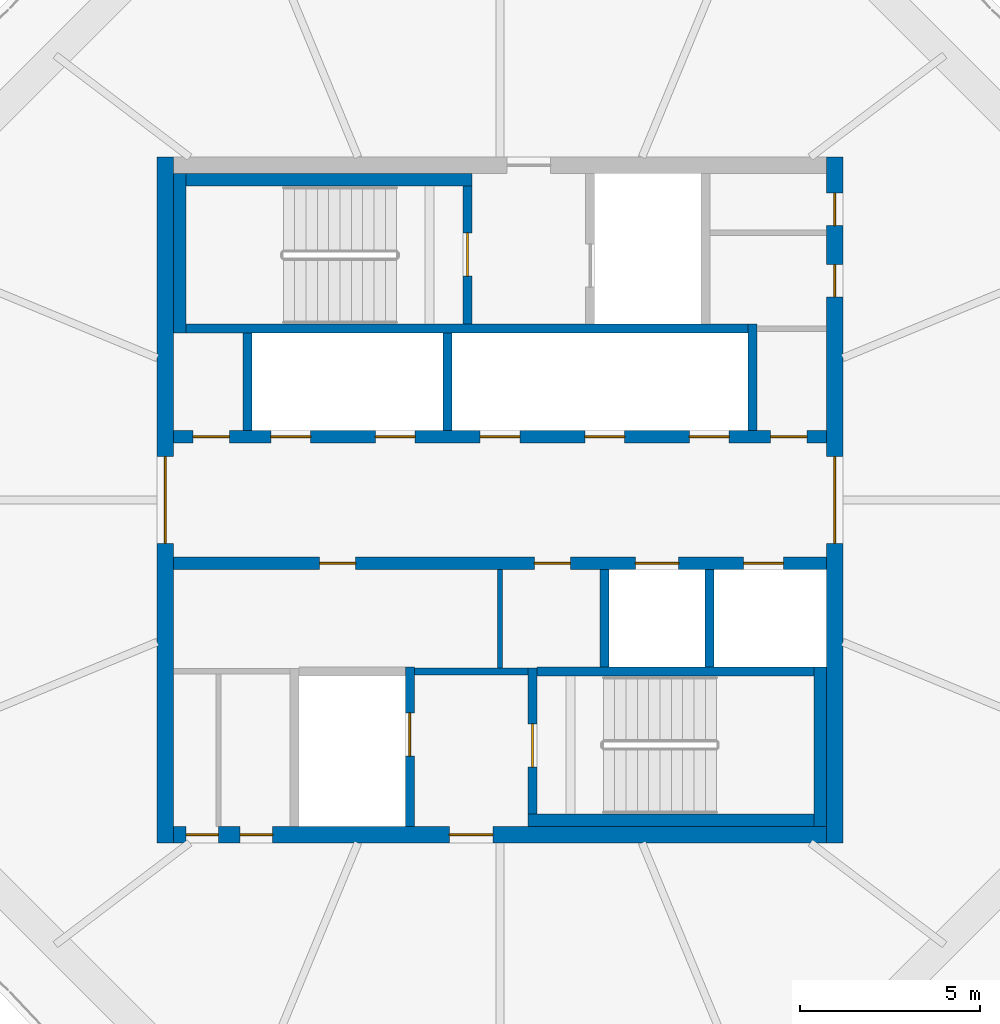
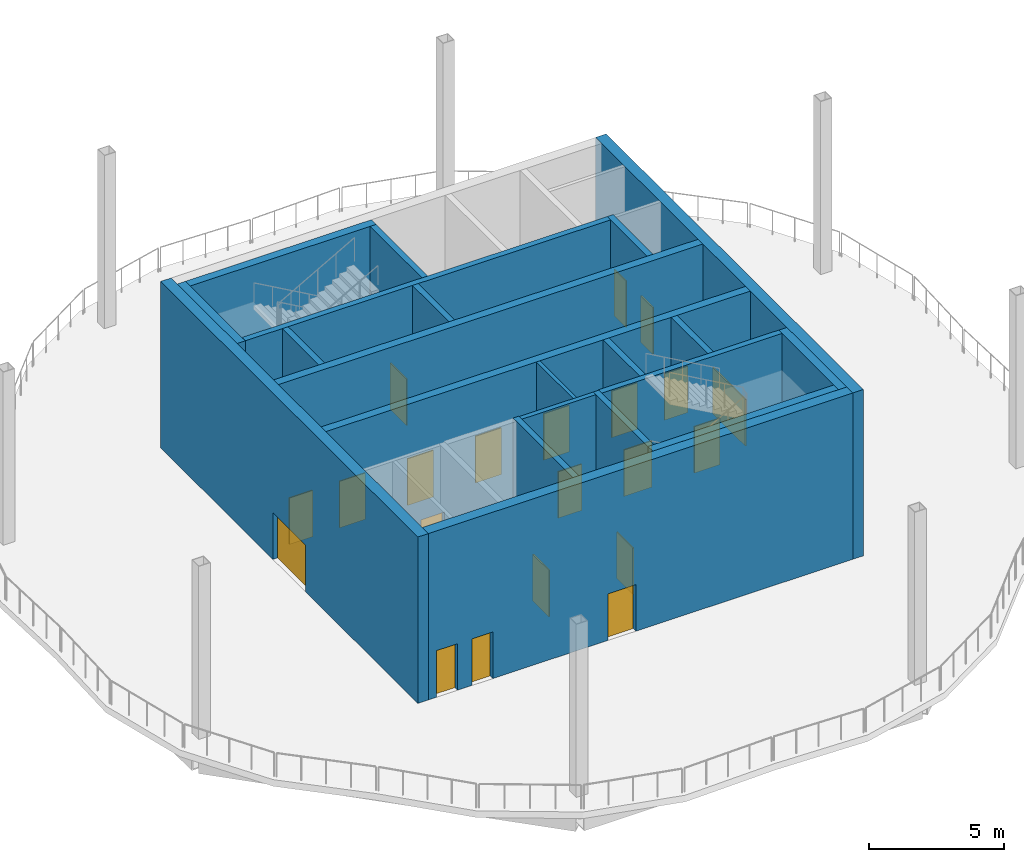
# One storey, part 5 of 12: 21 doors, 21 walls, 21 openings.
"""IFC4 building model written with IfcOpenShell, lengths in metres."""

import ifcopenshell
import ifcopenshell.guid

model = None  # the IFC model being written
_history = None  # IfcOwnerHistory: only IFC2X3 demands one
_inside = {}  # id of a spatial element -> (the spatial element, [elements in it])
_under = {}  # id of a project, library or spatial element -> (it, [spatial elements below it])
_declared = {}  # id of a project -> (the project, [libraries it declares])
_typed = {}  # id of a type object -> (the type object, [elements of that type])
_made_of = {}  # id of a material, layer set ... -> (it, [elements and type objects made of it])


def new_model(schema):
    """Start an empty IFC model of exactly this schema.

    Asked for "IFC4X3", IfcOpenShell would pick the latest addendum, in which some entities
    have other attributes; the version numbers below select the first issue.
    IFC2X3 requires an IfcOwnerHistory on every rooted entity: one is made here for all.
    """
    global model, _history
    if schema == "IFC4X3":
        model = ifcopenshell.file(schema_version=(4, 3, 0, 0))
    else:
        model = ifcopenshell.file(schema=schema)
    _inside.clear()
    _under.clear()
    _declared.clear()
    _typed.clear()
    _made_of.clear()
    _history = None
    if model.schema == "IFC2X3":
        org = make("IfcOrganization", Name="unknown")
        user = make(
            "IfcPersonAndOrganization",
            ThePerson=make("IfcPerson", FamilyName="unknown"),
            TheOrganization=org,
        )
        app = make(
            "IfcApplication",
            ApplicationDeveloper=org,
            Version="unknown",
            ApplicationFullName="unknown",
            ApplicationIdentifier="unknown",
        )
        _history = make(
            "IfcOwnerHistory",
            OwningUser=user,
            OwningApplication=app,
            ChangeAction="ADDED",
            CreationDate=0,
        )
    return model


def make(cls, **values):
    """One entity of the class cls with the attributes given. An attribute that is None is left unset."""
    return model.create_entity(
        cls, **{name: value for name, value in values.items() if value is not None}
    )


def rooted(cls, **values):
    """An entity with a GlobalId (a new one), such as an element, a storey or a relation."""
    return make(cls, GlobalId=ifcopenshell.guid.new(), OwnerHistory=_history, **values)


def si_unit(unit_type, name, prefix=None):
    """IfcSIUnit, for example si_unit("LENGTHUNIT", "METRE", prefix="MILLI")."""
    return make("IfcSIUnit", UnitType=unit_type, Prefix=prefix, Name=name)


def assignment(units):
    """IfcUnitAssignment: the units of a project."""
    return None if units is None else make("IfcUnitAssignment", Units=units)


def point(xyz):
    """IfcCartesianPoint."""
    return None if xyz is None else make("IfcCartesianPoint", Coordinates=xyz)


def direction(xyz):
    """IfcDirection."""
    return None if xyz is None else make("IfcDirection", DirectionRatios=xyz)


def frame(location, z_axis=None, x_axis=None):
    """IfcAxis2Placement3D, a coordinate frame: its origin and axes. An axis left out is left unset."""
    return make(
        "IfcAxis2Placement3D",
        Location=point(location),
        Axis=direction(z_axis),
        RefDirection=direction(x_axis),
    )


def frame_2d(location, x_axis=None):
    """IfcAxis2Placement2D, a coordinate frame in the plane: its origin and x axis."""
    return make(
        "IfcAxis2Placement2D", Location=point(location), RefDirection=direction(x_axis)
    )


def origin():
    """The frame at (0, 0, 0) with its axes left unset."""
    return frame((0.0, 0.0, 0.0))


def place(relative_to, where):
    """IfcLocalPlacement: puts the frame where relative to a parent placement (None: the world)."""
    return make(
        "IfcLocalPlacement", PlacementRelTo=relative_to, RelativePlacement=where
    )


def context(
    kind, dimensions, precision=None, world=None, true_north=None, identifier=None
):
    """IfcGeometricRepresentationContext, for example the 3D "Model" context."""
    return make(
        "IfcGeometricRepresentationContext",
        ContextIdentifier=identifier,
        ContextType=kind,
        CoordinateSpaceDimension=dimensions,
        Precision=precision,
        WorldCoordinateSystem=world,
        TrueNorth=true_north,
    )


def subcontext(parent, identifier, kind, view, scale=None):
    """IfcGeometricRepresentationSubContext, for example "Body" below "Model"."""
    return make(
        "IfcGeometricRepresentationSubContext",
        ContextIdentifier=identifier,
        ContextType=kind,
        ParentContext=parent,
        TargetScale=scale,
        TargetView=view,
    )


def project(units=None, contexts=None):
    """IfcProject with its units and contexts."""
    return rooted(
        "IfcProject",
        Name="project",
        RepresentationContexts=contexts,
        UnitsInContext=assignment(units),
    )


def spatial(cls, under=None, at=None, **own):
    """A site, building, storey or space (cls), placed at a placement, below another one or the project."""
    s = rooted(cls, ObjectPlacement=at, **own)
    if under is not None:
        _under.setdefault(under.id(), (under, []))[1].append(s)
    return s


def profile(cls, at=None, kind="AREA", **sizes):
    """A parametric profile (cls). Its sizes go by their IFC names, for example OverallWidth=200.0."""
    return make(cls, ProfileType=kind, Position=at, **sizes)


def rectangle(**sizes):
    """IfcRectangleProfileDef."""
    return profile("IfcRectangleProfileDef", **sizes)


def extrude(swept, where, along, depth):
    """IfcExtrudedAreaSolid: the profile swept, set in the frame where, extruded along a direction by depth."""
    return make(
        "IfcExtrudedAreaSolid",
        SweptArea=swept,
        Position=where,
        ExtrudedDirection=direction(along),
        Depth=depth,
    )


def shape(context_of_items, identifier, shape_type, items):
    """IfcShapeRepresentation: the items that make up one representation, for example the "Body"."""
    return make(
        "IfcShapeRepresentation",
        ContextOfItems=context_of_items,
        RepresentationIdentifier=identifier,
        RepresentationType=shape_type,
        Items=items,
    )


def material(Name=None, Category=None):
    """IfcMaterial."""
    return make("IfcMaterial", Name=Name, Category=Category)


def layer(
    of_material, thickness, ventilated=None, Name=None, Category=None, Priority=None
):
    """IfcMaterialLayer: one layer of a wall or slab, of a material (None: an air gap)."""
    return make(
        "IfcMaterialLayer",
        Material=of_material,
        LayerThickness=thickness,
        IsVentilated=ventilated,
        Name=Name,
        Category=Category,
        Priority=Priority,
    )


def layer_set(layers, Name=None):
    """IfcMaterialLayerSet."""
    return make("IfcMaterialLayerSet", MaterialLayers=layers, LayerSetName=Name)


def made_of(thing, what):
    """Note that an element or type object is made of a material, layer set ...; save() writes the relation."""
    if what is not None:
        _made_of.setdefault(what.id(), (what, []))[1].append(thing)
    return thing


def type_object(cls, material=None, **own):
    """A type object (cls), such as IfcWallType, which elements share."""
    return made_of(rooted(cls, **own), material)


def element(
    cls,
    number,
    at=None,
    inside=None,
    cuts=None,
    type_object=None,
    material=None,
    context=None,
    identifier="Body",
    shape_type=None,
    held_by="IfcProductDefinitionShape",
    body=None,
    shapes=None,
    **own,
):
    """One element of the class cls, such as IfcWall. Its Tag is "e" and its number.

    at: its placement. inside: the storey or other place that contains it. cuts: it is an
    opening in that element (IfcRelVoidsElement). A single representation is given by context,
    identifier, shape_type and body (its items); several are given by shapes. held_by: the class
    of the entity that holds the representations. save() writes the other relations.
    """
    e = rooted(cls, Tag="e%d" % number, ObjectPlacement=at, **own)
    if body is not None:
        shapes = [shape(context, identifier, shape_type, body)]
    if shapes is not None:
        e.Representation = make(held_by, Representations=shapes)
    if inside is not None:
        _inside.setdefault(inside.id(), (inside, []))[1].append(e)
    if cuts is not None:
        rooted(
            "IfcRelVoidsElement", RelatingBuildingElement=cuts, RelatedOpeningElement=e
        )
    if type_object is not None:
        _typed.setdefault(type_object.id(), (type_object, []))[1].append(e)
    return made_of(e, material)


def fill(opening, filler):
    """IfcRelFillsElement: the door or window that sits in an opening."""
    return rooted(
        "IfcRelFillsElement",
        RelatingOpeningElement=opening,
        RelatedBuildingElement=filler,
    )


def aggregate(whole, parts):
    """IfcRelAggregates: a whole, such as a stair, and the parts it consists of."""
    return rooted("IfcRelAggregates", RelatingObject=whole, RelatedObjects=parts)


def save(model, path):
    """Write the relations noted so far, then the file.

    IfcRelAggregates (storeys below a building ...), IfcRelContainedInSpatialStructure (elements
    in a storey), IfcRelDefinesByType, IfcRelAssociatesMaterial and IfcRelDeclares: one each for
    every whole, place, type object, material and project.
    """
    for whole, parts in _under.values():
        aggregate(whole, parts)
    for where, things in _inside.values():
        rooted(
            "IfcRelContainedInSpatialStructure",
            RelatedElements=things,
            RelatingStructure=where,
        )
    for kind, things in _typed.values():
        rooted("IfcRelDefinesByType", RelatedObjects=things, RelatingType=kind)
    for what, things in _made_of.values():
        rooted("IfcRelAssociatesMaterial", RelatedObjects=things, RelatingMaterial=what)
    for by, libraries in _declared.values():
        rooted("IfcRelDeclares", RelatingContext=by, RelatedDefinitions=libraries)
    model.write(path)


model = new_model("IFC4")

# Units and contexts
model_context = context("Model", 3, precision=1e-05, world=origin(), true_north=direction((0.0, 1.0)))
body_context = subcontext(model_context, "Body", "Model", "MODEL_VIEW")
ifc_project = project(units=[si_unit("LENGTHUNIT", "METRE"), si_unit("AREAUNIT", "SQUARE_METRE"), si_unit("VOLUMEUNIT", "CUBIC_METRE"), si_unit("PLANEANGLEUNIT", "RADIAN"), si_unit("MASSUNIT", "GRAM", prefix="KILO")], contexts=[model_context])

# Site, building, storey
site_placement = place(None, origin())
site = spatial("IfcSite", under=ifc_project, at=site_placement, CompositionType="ELEMENT")
building_placement = place(site_placement, origin())
building = spatial("IfcBuilding", under=site, at=building_placement, Name="Ogive Gate Towers", CompositionType="ELEMENT")
storey_placement = place(building_placement, frame((0.0, 0.0, 248.39990234375)))
storey = spatial("IfcBuildingStorey", under=building, at=storey_placement, Name="L59", CompositionType="ELEMENT", Elevation=248.39990234375)

# Wall
ifc_material_1 = material(Name="Masonry blockwork", Category="masonry")
ifc_layer_1 = layer(ifc_material_1, 0.199951171875)
ifc_layer_set_1 = layer_set([ifc_layer_1], Name="Blockwork wall 200 mm")
wall_type_1 = type_object("IfcWallType", Name="Blockwork wall 200 mm", PredefinedType="PARTITIONING", material=ifc_layer_set_1)
wall_1_placement = place(storey_placement, frame((-38.375, -4.75, 0.0), z_axis=(0.0, 0.0, 1.0), x_axis=(1.0, 0.0, 0.0)))
element("IfcWall", 1, at=wall_1_placement, inside=storey, type_object=wall_type_1, Name="T1 L59 Blockwork wall 200 mm", PredefinedType="PARTITIONING", context=body_context, shape_type="SweptSolid", body=[
    extrude(rectangle(XDim=3.14990234375, YDim=0.199951171875, at=frame_2d((1.574951171875, 0.0))), origin(), (0.0, 0.0, 1.0), 7.5),
])

# Wall, openings, doors
ifc_material_2 = material(Name="Concrete C60/75", Category="concrete")
ifc_layer_2 = layer(ifc_material_2, 0.449951171875)
ifc_layer_set_2 = layer_set([ifc_layer_2], Name="Core wall 450 mm")
wall_type_2 = type_object("IfcWallType", Name="Core wall 450 mm", PredefinedType="SHEAR", material=ifc_layer_set_2)
wall_2_placement = place(storey_placement, frame((-45.050048828125, -9.27490234375, 0.0), z_axis=(0.0, 0.0, 1.0), x_axis=(1.0, 0.0, 0.0)))
wall_2 = element("IfcWall", 2, at=wall_2_placement, inside=storey, type_object=wall_type_2, Name="T1 L59 Core wall 450 mm", PredefinedType="SHEAR", context=body_context, shape_type="SweptSolid", body=[
    extrude(rectangle(XDim=18.10009765625, YDim=0.449951171875, at=frame_2d((9.050048828125, 0.0))), origin(), (0.0, 0.0, 1.0), 7.5),
])
opening_1_placement = place(wall_2_placement, frame((7.64990234375, 0.0, 0.0)))
opening_1 = element("IfcOpeningElement", 3, at=opening_1_placement, cuts=wall_2, Name="Opening KD-T1-L59-19", PredefinedType="OPENING", context=body_context, shape_type="SweptSolid", body=[
    extrude(rectangle(XDim=1.199951171875, YDim=2.10009765625, at=frame_2d((0.60009765625, 1.050048828125))), frame((0.0, 0.23486328125, 0.0), z_axis=(0.0, -1.0, 0.0), x_axis=(1.0, 0.0, 0.0)), (0.0, 0.0, 1.0), 0.469970703125),
])
opening_2_placement = place(wall_2_placement, frame((0.35009765625, 0.0, 0.0)))
opening_2 = element("IfcOpeningElement", 4, at=opening_2_placement, cuts=wall_2, Name="Opening KD-T1-L59-22", PredefinedType="OPENING", context=body_context, shape_type="SweptSolid", body=[
    extrude(rectangle(XDim=0.89990234375, YDim=2.10009765625, at=frame_2d((0.449951171875, 1.050048828125))), frame((0.0, 0.23486328125, 0.0), z_axis=(0.0, -1.0, 0.0), x_axis=(1.0, 0.0, 0.0)), (0.0, 0.0, 1.0), 0.469970703125),
])
opening_3_placement = place(wall_2_placement, frame((1.85009765625, 0.0, 0.0)))
opening_3 = element("IfcOpeningElement", 5, at=opening_3_placement, cuts=wall_2, Name="Opening KD-T1-L59-23", PredefinedType="OPENING", context=body_context, shape_type="SweptSolid", body=[
    extrude(rectangle(XDim=0.89990234375, YDim=2.10009765625, at=frame_2d((0.449951171875, 1.050048828125))), frame((0.0, 0.23486328125, 0.0), z_axis=(0.0, -1.0, 0.0), x_axis=(1.0, 0.0, 0.0)), (0.0, 0.0, 1.0), 0.469970703125),
])
ifc_material_3 = material(Name="Steel fire door", Category="steel")
door_type_1 = type_object("IfcDoorType", Name="Core door FD60S 1200 x 2100", OperationType="NOTDEFINED", PredefinedType="DOOR", material=ifc_material_3)
door_1_placement = place(opening_1_placement, origin())
door_1 = element("IfcDoor", 6, at=door_1_placement, inside=storey, type_object=door_type_1, Name="T1 L59 Fire-fighting lobby door", OperationType="SINGLE_SWING_RIGHT", OverallHeight=2.10009765625, OverallWidth=1.199951171875, PredefinedType="DOOR", context=body_context, shape_type="SweptSolid", body=[
    extrude(rectangle(XDim=1.199951171875, YDim=2.10009765625, at=frame_2d((0.60009765625, 1.050048828125))), frame((0.0, 0.02490234375, 0.0), z_axis=(0.0, -1.0, 0.0), x_axis=(1.0, 0.0, 0.0)), (0.0, 0.0, 1.0), 0.050048828125),
])
fill(opening_1, door_1)
door_type_2 = type_object("IfcDoorType", Name="Core door FD60S 900 x 2100", OperationType="NOTDEFINED", PredefinedType="DOOR", material=ifc_material_3)
door_2_placement = place(opening_2_placement, origin())
door_2 = element("IfcDoor", 7, at=door_2_placement, inside=storey, type_object=door_type_2, Name="T1 L59 Core door", OperationType="SINGLE_SWING_LEFT", OverallHeight=2.10009765625, OverallWidth=0.89990234375, PredefinedType="DOOR", context=body_context, shape_type="SweptSolid", body=[
    extrude(rectangle(XDim=0.89990234375, YDim=2.10009765625, at=frame_2d((0.449951171875, 1.050048828125))), frame((0.0, 0.02490234375, 0.0), z_axis=(0.0, -1.0, 0.0), x_axis=(1.0, 0.0, 0.0)), (0.0, 0.0, 1.0), 0.050048828125),
])
fill(opening_2, door_2)
door_3_placement = place(opening_3_placement, origin())
door_3 = element("IfcDoor", 8, at=door_3_placement, inside=storey, type_object=door_type_2, Name="T1 L59 Core door", OperationType="SINGLE_SWING_RIGHT", OverallHeight=2.10009765625, OverallWidth=0.89990234375, PredefinedType="DOOR", context=body_context, shape_type="SweptSolid", body=[
    extrude(rectangle(XDim=0.89990234375, YDim=2.10009765625, at=frame_2d((0.449951171875, 1.050048828125))), frame((0.0, 0.02490234375, 0.0), z_axis=(0.0, -1.0, 0.0), x_axis=(1.0, 0.0, 0.0)), (0.0, 0.0, 1.0), 0.050048828125),
])
fill(opening_3, door_3)

# Wall, opening, door
wall_3_placement = place(storey_placement, frame((-45.27490234375, -9.5, 0.0), z_axis=(0.0, 0.0, 1.0), x_axis=(0.0, 1.0, 0.0)))
wall_3 = element("IfcWall", 9, at=wall_3_placement, inside=storey, type_object=wall_type_2, Name="T1 L59 Core wall 450 mm", PredefinedType="SHEAR", context=body_context, shape_type="SweptSolid", body=[
    extrude(rectangle(XDim=19.0, YDim=0.449951171875, at=frame_2d((9.5, 0.0))), origin(), (0.0, 0.0, 1.0), 7.5),
])
opening_4_placement = place(wall_3_placement, frame((8.300048828125, 0.0, 0.0)))
opening_4 = element("IfcOpeningElement", 10, at=opening_4_placement, cuts=wall_3, Name="Opening KD-T1-L59-01", PredefinedType="OPENING", context=body_context, shape_type="SweptSolid", body=[
    extrude(rectangle(XDim=2.39990234375, YDim=2.10009765625, at=frame_2d((1.199951171875, 1.050048828125))), frame((0.0, 0.23486328125, 0.0), z_axis=(0.0, -1.0, 0.0), x_axis=(1.0, 0.0, 0.0)), (0.0, 0.0, 1.0), 0.469970703125),
])
door_type_3 = type_object("IfcDoorType", Name="Core double door FD60S 2400 x 2100", OperationType="DOUBLE_DOOR_SINGLE_SWING", PredefinedType="DOOR", material=ifc_material_3)
door_4_placement = place(opening_4_placement, origin())
door_4 = element("IfcDoor", 11, at=door_4_placement, inside=storey, type_object=door_type_3, Name="T1 L59 Core door double", OperationType="DOUBLE_DOOR_SINGLE_SWING", OverallHeight=2.10009765625, OverallWidth=2.39990234375, PredefinedType="DOOR", context=body_context, shape_type="SweptSolid", body=[
    extrude(rectangle(XDim=2.39990234375, YDim=2.10009765625, at=frame_2d((1.199951171875, 1.050048828125))), frame((0.0, 0.02490234375, 0.0), z_axis=(0.0, -1.0, 0.0), x_axis=(1.0, 0.0, 0.0)), (0.0, 0.0, 1.0), 0.050048828125),
])
fill(opening_4, door_4)

# Wall, openings, doors
wall_4_placement = place(storey_placement, frame((-26.72509765625, -9.5, 0.0), z_axis=(0.0, 0.0, 1.0), x_axis=(0.0, 1.0, 0.0)))
wall_4 = element("IfcWall", 12, at=wall_4_placement, inside=storey, type_object=wall_type_2, Name="T1 L59 Core wall 450 mm", PredefinedType="SHEAR", context=body_context, shape_type="SweptSolid", body=[
    extrude(rectangle(XDim=19.0, YDim=0.449951171875, at=frame_2d((9.5, 0.0))), origin(), (0.0, 0.0, 1.0), 7.5),
])
opening_5_placement = place(wall_4_placement, frame((8.300048828125, 0.0, 0.0)))
opening_5 = element("IfcOpeningElement", 13, at=opening_5_placement, cuts=wall_4, Name="Opening KD-T1-L59-02", PredefinedType="OPENING", context=body_context, shape_type="SweptSolid", body=[
    extrude(rectangle(XDim=2.39990234375, YDim=2.10009765625, at=frame_2d((1.199951171875, 1.050048828125))), frame((0.0, 0.23486328125, 0.0), z_axis=(0.0, -1.0, 0.0), x_axis=(1.0, 0.0, 0.0)), (0.0, 0.0, 1.0), 0.469970703125),
])
opening_6_placement = place(wall_4_placement, frame((15.125, 0.0, 0.0)))
opening_6 = element("IfcOpeningElement", 14, at=opening_6_placement, cuts=wall_4, Name="Opening KD-T1-L59-20", PredefinedType="OPENING", context=body_context, shape_type="SweptSolid", body=[
    extrude(rectangle(XDim=0.89990234375, YDim=2.10009765625, at=frame_2d((0.449951171875, 1.050048828125))), frame((0.0, 0.23486328125, 0.0), z_axis=(0.0, -1.0, 0.0), x_axis=(1.0, 0.0, 0.0)), (0.0, 0.0, 1.0), 0.469970703125),
])
opening_7_placement = place(wall_4_placement, frame((17.10009765625, 0.0, 0.0)))
opening_7 = element("IfcOpeningElement", 15, at=opening_7_placement, cuts=wall_4, Name="Opening KD-T1-L59-21", PredefinedType="OPENING", context=body_context, shape_type="SweptSolid", body=[
    extrude(rectangle(XDim=0.89990234375, YDim=2.10009765625, at=frame_2d((0.449951171875, 1.050048828125))), frame((0.0, 0.23486328125, 0.0), z_axis=(0.0, -1.0, 0.0), x_axis=(1.0, 0.0, 0.0)), (0.0, 0.0, 1.0), 0.469970703125),
])
door_5_placement = place(opening_6_placement, origin())
door_5 = element("IfcDoor", 16, at=door_5_placement, inside=storey, type_object=door_type_2, Name="T1 L59 Core door", OperationType="SINGLE_SWING_LEFT", OverallHeight=2.10009765625, OverallWidth=0.89990234375, PredefinedType="DOOR", context=body_context, shape_type="SweptSolid", body=[
    extrude(rectangle(XDim=0.89990234375, YDim=2.10009765625, at=frame_2d((0.449951171875, 1.050048828125))), frame((0.0, 0.02490234375, 0.0), z_axis=(0.0, -1.0, 0.0), x_axis=(1.0, 0.0, 0.0)), (0.0, 0.0, 1.0), 0.050048828125),
])
fill(opening_6, door_5)
door_6_placement = place(opening_7_placement, origin())
door_6 = element("IfcDoor", 17, at=door_6_placement, inside=storey, type_object=door_type_2, Name="T1 L59 Core door", OperationType="SINGLE_SWING_RIGHT", OverallHeight=2.10009765625, OverallWidth=0.89990234375, PredefinedType="DOOR", context=body_context, shape_type="SweptSolid", body=[
    extrude(rectangle(XDim=0.89990234375, YDim=2.10009765625, at=frame_2d((0.449951171875, 1.050048828125))), frame((0.0, 0.02490234375, 0.0), z_axis=(0.0, -1.0, 0.0), x_axis=(1.0, 0.0, 0.0)), (0.0, 0.0, 1.0), 0.050048828125),
])
fill(opening_7, door_6)
door_7_placement = place(opening_5_placement, origin())
door_7 = element("IfcDoor", 18, at=door_7_placement, inside=storey, type_object=door_type_3, Name="T1 L59 Core door double", OperationType="DOUBLE_DOOR_SINGLE_SWING", OverallHeight=2.10009765625, OverallWidth=2.39990234375, PredefinedType="DOOR", context=body_context, shape_type="SweptSolid", body=[
    extrude(rectangle(XDim=2.39990234375, YDim=2.10009765625, at=frame_2d((1.199951171875, 1.050048828125))), frame((0.0, 0.02490234375, 0.0), z_axis=(0.0, -1.0, 0.0), x_axis=(1.0, 0.0, 0.0)), (0.0, 0.0, 1.0), 0.050048828125),
])
fill(opening_5, door_7)

# Walls
ifc_material_4 = material(Name="Gypsum board partition")
ifc_layer_3 = layer(ifc_material_4, 0.14990234375)
ifc_layer_set_3 = layer_set([ifc_layer_3], Name="Room partition 150 mm")
wall_type_3 = type_object("IfcWallType", Name="Room partition 150 mm", PredefinedType="PARTITIONING", material=ifc_layer_set_3)
wall_5_placement = place(storey_placement, frame((-36.0, -4.64990234375, 0.0), z_axis=(0.0, 0.0, 1.0), x_axis=(0.0, 1.0, 0.0)))
element("IfcWall", 19, at=wall_5_placement, inside=storey, type_object=wall_type_3, Name="T1 L59 Room partition 150 mm", PredefinedType="PARTITIONING", context=body_context, shape_type="SweptSolid", body=[
    extrude(rectangle(XDim=2.724853515625, YDim=0.14990234375, at=frame_2d((1.3623046875, 0.0))), origin(), (0.0, 0.0, 1.0), 7.5),
])
ifc_layer_4 = layer(ifc_material_2, 0.25)
ifc_layer_set_4 = layer_set([ifc_layer_4], Name="Shaft wall 250 mm")
wall_type_4 = type_object("IfcWallType", Name="Shaft wall 250 mm", PredefinedType="SHEAR", material=ifc_layer_set_4)
wall_6_placement = place(storey_placement, frame((-34.97509765625, -4.75, 0.0), z_axis=(0.0, 0.0, 1.0), x_axis=(1.0, 0.0, 0.0)))
element("IfcWall", 20, at=wall_6_placement, inside=storey, type_object=wall_type_4, Name="T1 L59 Shaft wall 250 mm", PredefinedType="SHEAR", context=body_context, shape_type="SweptSolid", body=[
    extrude(rectangle(XDim=7.675048828125, YDim=0.25, at=frame_2d((3.83740234375, 0.0))), origin(), (0.0, 0.0, 1.0), 7.5),
])
wall_7_placement = place(storey_placement, frame((-44.699951171875, 4.75, 0.0), z_axis=(0.0, 0.0, 1.0), x_axis=(1.0, 0.0, 0.0)))
element("IfcWall", 21, at=wall_7_placement, inside=storey, type_object=wall_type_4, Name="T1 L59 Shaft wall 250 mm", PredefinedType="SHEAR", context=body_context, shape_type="SweptSolid", body=[
    extrude(rectangle(XDim=15.574951171875, YDim=0.25, at=frame_2d((7.78759765625, 0.0))), origin(), (0.0, 0.0, 1.0), 7.5),
])
wall_8_placement = place(storey_placement, frame((-43.0, 1.925048828125, 0.0), z_axis=(0.0, 0.0, 1.0), x_axis=(0.0, 1.0, 0.0)))
element("IfcWall", 22, at=wall_8_placement, inside=storey, type_object=wall_type_4, Name="T1 L59 Shaft wall 250 mm", PredefinedType="SHEAR", context=body_context, shape_type="SweptSolid", body=[
    extrude(rectangle(XDim=2.699951171875, YDim=0.25, at=frame_2d((1.35009765625, 0.0))), origin(), (0.0, 0.0, 1.0), 7.5),
])

# Wall, opening, door
wall_9_placement = place(storey_placement, frame((-38.5, -9.050048828125, 0.0), z_axis=(0.0, 0.0, 1.0), x_axis=(0.0, 1.0, 0.0)))
wall_9 = element("IfcWall", 23, at=wall_9_placement, inside=storey, type_object=wall_type_4, Name="T1 L59 Shaft wall 250 mm", PredefinedType="SHEAR", context=body_context, shape_type="SweptSolid", body=[
    extrude(rectangle(XDim=4.425048828125, YDim=0.25, at=frame_2d((2.21240234375, 0.0))), origin(), (0.0, 0.0, 1.0), 7.5),
])
opening_8_placement = place(wall_9_placement, frame((1.949951171875, 0.0, 0.0)))
opening_8 = element("IfcOpeningElement", 24, at=opening_8_placement, cuts=wall_9, Name="Opening LD-T1-L59-13", PredefinedType="OPENING", context=body_context, shape_type="SweptSolid", body=[
    extrude(rectangle(XDim=1.199951171875, YDim=2.10009765625, at=frame_2d((0.60009765625, 1.050048828125))), frame((0.0, 0.135009765625, 0.0), z_axis=(0.0, -1.0, 0.0), x_axis=(1.0, 0.0, 0.0)), (0.0, 0.0, 1.0), 0.27001953125),
])
ifc_material_5 = material(Name="Stainless steel landing door", Category="steel")
door_type_4 = type_object("IfcDoorType", Name="Landing door 1200 x 2100", OperationType="SLIDING_TO_LEFT", PredefinedType="DOOR", material=ifc_material_5)
door_8_placement = place(opening_8_placement, origin())
door_8 = element("IfcDoor", 25, at=door_8_placement, inside=storey, type_object=door_type_4, Name="T1 L59 Lift landing door FF2", OperationType="SLIDING_TO_LEFT", OverallHeight=2.10009765625, OverallWidth=1.199951171875, PredefinedType="DOOR", context=body_context, shape_type="SweptSolid", body=[
    extrude(rectangle(XDim=1.199951171875, YDim=2.10009765625, at=frame_2d((0.60009765625, 1.050048828125))), frame((0.0, 0.02490234375, 0.0), z_axis=(0.0, -1.0, 0.0), x_axis=(1.0, 0.0, 0.0)), (0.0, 0.0, 1.0), 0.050048828125),
])
fill(opening_8, door_8)

# Wall
wall_10_placement = place(storey_placement, frame((-37.449951171875, 1.925048828125, 0.0), z_axis=(0.0, 0.0, 1.0), x_axis=(0.0, 1.0, 0.0)))
element("IfcWall", 26, at=wall_10_placement, inside=storey, type_object=wall_type_4, Name="T1 L59 Shaft wall 250 mm", PredefinedType="SHEAR", context=body_context, shape_type="SweptSolid", body=[
    extrude(rectangle(XDim=2.699951171875, YDim=0.25, at=frame_2d((1.35009765625, 0.0))), origin(), (0.0, 0.0, 1.0), 7.5),
])

# Wall, opening, door
wall_11_placement = place(storey_placement, frame((-36.89990234375, 4.875, 0.0), z_axis=(0.0, 0.0, 1.0), x_axis=(0.0, 1.0, 0.0)))
wall_11 = element("IfcWall", 27, at=wall_11_placement, inside=storey, type_object=wall_type_4, Name="T1 L59 Shaft wall 250 mm", PredefinedType="SHEAR", context=body_context, shape_type="SweptSolid", body=[
    extrude(rectangle(XDim=3.824951171875, YDim=0.25, at=frame_2d((1.91259765625, 0.0))), origin(), (0.0, 0.0, 1.0), 7.5),
])
opening_9_placement = place(wall_11_placement, frame((1.324951171875, 0.0, 0.0)))
opening_9 = element("IfcOpeningElement", 28, at=opening_9_placement, cuts=wall_11, Name="Opening KD-T1-L59-16", PredefinedType="OPENING", context=body_context, shape_type="SweptSolid", body=[
    extrude(rectangle(XDim=1.199951171875, YDim=2.10009765625, at=frame_2d((0.60009765625, 1.050048828125))), frame((0.0, 0.135009765625, 0.0), z_axis=(0.0, -1.0, 0.0), x_axis=(1.0, 0.0, 0.0)), (0.0, 0.0, 1.0), 0.27001953125),
])
door_9_placement = place(opening_9_placement, origin())
door_9 = element("IfcDoor", 29, at=door_9_placement, inside=storey, type_object=door_type_1, Name="T1 L59 Stair door", OperationType="SINGLE_SWING_LEFT", OverallHeight=2.10009765625, OverallWidth=1.199951171875, PredefinedType="DOOR", context=body_context, shape_type="SweptSolid", body=[
    extrude(rectangle(XDim=1.199951171875, YDim=2.10009765625, at=frame_2d((0.60009765625, 1.050048828125))), frame((0.0, 0.02490234375, 0.0), z_axis=(0.0, -1.0, 0.0), x_axis=(1.0, 0.0, 0.0)), (0.0, 0.0, 1.0), 0.050048828125),
])
fill(opening_9, door_9)

wall_12_placement = place(storey_placement, frame((-35.10009765625, -8.699951171875, 0.0), z_axis=(0.0, 0.0, 1.0), x_axis=(0.0, 1.0, 0.0)))
wall_12 = element("IfcWall", 30, at=wall_12_placement, inside=storey, type_object=wall_type_4, Name="T1 L59 Shaft wall 250 mm", PredefinedType="SHEAR", context=body_context, shape_type="SweptSolid", body=[
    extrude(rectangle(XDim=4.050048828125, YDim=0.25, at=frame_2d((2.02490234375, 0.0))), origin(), (0.0, 0.0, 1.0), 7.5),
])
opening_10_placement = place(wall_12_placement, frame((1.300048828125, 0.0, 0.0)))
opening_10 = element("IfcOpeningElement", 31, at=opening_10_placement, cuts=wall_12, Name="Opening KD-T1-L59-17", PredefinedType="OPENING", context=body_context, shape_type="SweptSolid", body=[
    extrude(rectangle(XDim=1.199951171875, YDim=2.10009765625, at=frame_2d((0.60009765625, 1.050048828125))), frame((0.0, 0.135009765625, 0.0), z_axis=(0.0, -1.0, 0.0), x_axis=(1.0, 0.0, 0.0)), (0.0, 0.0, 1.0), 0.27001953125),
])
door_10_placement = place(opening_10_placement, origin())
door_10 = element("IfcDoor", 32, at=door_10_placement, inside=storey, type_object=door_type_1, Name="T1 L59 Stair door", OperationType="SINGLE_SWING_RIGHT", OverallHeight=2.10009765625, OverallWidth=1.199951171875, PredefinedType="DOOR", context=body_context, shape_type="SweptSolid", body=[
    extrude(rectangle(XDim=1.199951171875, YDim=2.10009765625, at=frame_2d((0.60009765625, 1.050048828125))), frame((0.0, 0.02490234375, 0.0), z_axis=(0.0, -1.0, 0.0), x_axis=(1.0, 0.0, 0.0)), (0.0, 0.0, 1.0), 0.050048828125),
])
fill(opening_10, door_10)

# Walls
for number, where, z_axis, x_axis, name in (
    (33, (-33.10009765625, -4.625, 0.0), (0.0, 0.0, 1.0), (0.0, 1.0, 0.0), "T1 L59 Shaft wall 250 mm"),
    (34, (-30.199951171875, -4.625, 0.0), (0.0, 0.0, 1.0), (0.0, 1.0, 0.0), "T1 L59 Shaft wall 250 mm"),
):
    element("IfcWall", number, at=place(storey_placement, frame(where, z_axis=z_axis, x_axis=x_axis)), inside=storey, type_object=wall_type_4, Name=name, PredefinedType="SHEAR", context=body_context, shape_type="SweptSolid", body=[
        extrude(rectangle(XDim=2.699951171875, YDim=0.25, at=frame_2d((1.35009765625, 0.0))), origin(), (0.0, 0.0, 1.0), 7.5),
    ])
wall_13_placement = place(storey_placement, frame((-29.0, 1.925048828125, 0.0), z_axis=(0.0, 0.0, 1.0), x_axis=(0.0, 1.0, 0.0)))
element("IfcWall", 35, at=wall_13_placement, inside=storey, type_object=wall_type_4, Name="T1 L59 Shaft wall 250 mm", PredefinedType="SHEAR", context=body_context, shape_type="SweptSolid", body=[
    extrude(rectangle(XDim=2.949951171875, YDim=0.25, at=frame_2d((1.47509765625, 0.0))), origin(), (0.0, 0.0, 1.0), 7.5),
])

# Wall, openings, doors
ifc_layer_5 = layer(ifc_material_2, 0.35009765625)
ifc_layer_set_5 = layer_set([ifc_layer_5], Name="Spine wall 350 mm")
wall_type_5 = type_object("IfcWallType", Name="Spine wall 350 mm", PredefinedType="SHEAR", material=ifc_layer_set_5)
wall_14_placement = place(storey_placement, frame((-45.050048828125, -1.75, 0.0), z_axis=(0.0, 0.0, 1.0), x_axis=(1.0, 0.0, 0.0)))
wall_14 = element("IfcWall", 36, at=wall_14_placement, inside=storey, type_object=wall_type_5, Name="T1 L59 Spine wall 350 mm", PredefinedType="SHEAR", context=body_context, shape_type="SweptSolid", body=[
    extrude(rectangle(XDim=18.10009765625, YDim=0.35009765625, at=frame_2d((9.050048828125, 0.0))), origin(), (0.0, 0.0, 1.0), 7.5),
])
opening_11_placement = place(wall_14_placement, frame((12.800048828125, 0.0, 0.0)))
opening_11 = element("IfcOpeningElement", 37, at=opening_11_placement, cuts=wall_14, Name="Opening LD-T1-L59-10", PredefinedType="OPENING", context=body_context, shape_type="SweptSolid", body=[
    extrude(rectangle(XDim=1.199951171875, YDim=2.10009765625, at=frame_2d((0.60009765625, 1.050048828125))), frame((0.0, 0.18505859375, 0.0), z_axis=(0.0, -1.0, 0.0), x_axis=(1.0, 0.0, 0.0)), (0.0, 0.0, 1.0), 0.3701171875),
])
opening_12_placement = place(wall_14_placement, frame((15.800048828125, 0.0, 0.0)))
opening_12 = element("IfcOpeningElement", 38, at=opening_12_placement, cuts=wall_14, Name="Opening LD-T1-L59-11", PredefinedType="OPENING", context=body_context, shape_type="SweptSolid", body=[
    extrude(rectangle(XDim=1.10009765625, YDim=2.10009765625, at=frame_2d((0.550048828125, 1.050048828125))), frame((0.0, 0.18505859375, 0.0), z_axis=(0.0, -1.0, 0.0), x_axis=(1.0, 0.0, 0.0)), (0.0, 0.0, 1.0), 0.3701171875),
])
opening_13_placement = place(wall_14_placement, frame((4.050048828125, 0.0, 0.0)))
opening_13 = element("IfcOpeningElement", 39, at=opening_13_placement, cuts=wall_14, Name="Opening KD-T1-L59-14", PredefinedType="OPENING", context=body_context, shape_type="SweptSolid", body=[
    extrude(rectangle(XDim=1.0, YDim=2.10009765625, at=frame_2d((0.5, 1.050048828125))), frame((0.0, 0.18505859375, 0.0), z_axis=(0.0, -1.0, 0.0), x_axis=(1.0, 0.0, 0.0)), (0.0, 0.0, 1.0), 0.3701171875),
])
opening_14_placement = place(wall_14_placement, frame((10.0, 0.0, 0.0)))
opening_14 = element("IfcOpeningElement", 40, at=opening_14_placement, cuts=wall_14, Name="Opening KD-T1-L59-15", PredefinedType="OPENING", context=body_context, shape_type="SweptSolid", body=[
    extrude(rectangle(XDim=1.0, YDim=2.10009765625, at=frame_2d((0.5, 1.050048828125))), frame((0.0, 0.18505859375, 0.0), z_axis=(0.0, -1.0, 0.0), x_axis=(1.0, 0.0, 0.0)), (0.0, 0.0, 1.0), 0.3701171875),
])
door_type_5 = type_object("IfcDoorType", Name="Core door FD60S 1000 x 2100", OperationType="NOTDEFINED", PredefinedType="DOOR", material=ifc_material_3)
door_11_placement = place(opening_13_placement, origin())
door_11 = element("IfcDoor", 41, at=door_11_placement, inside=storey, type_object=door_type_5, Name="T1 L59 Core door", OperationType="SINGLE_SWING_LEFT", OverallHeight=2.10009765625, OverallWidth=1.0, PredefinedType="DOOR", context=body_context, shape_type="SweptSolid", body=[
    extrude(rectangle(XDim=1.0, YDim=2.10009765625, at=frame_2d((0.5, 1.050048828125))), frame((0.0, 0.02490234375, 0.0), z_axis=(0.0, -1.0, 0.0), x_axis=(1.0, 0.0, 0.0)), (0.0, 0.0, 1.0), 0.050048828125),
])
fill(opening_13, door_11)
door_12_placement = place(opening_14_placement, origin())
door_12 = element("IfcDoor", 42, at=door_12_placement, inside=storey, type_object=door_type_5, Name="T1 L59 Core door", OperationType="SINGLE_SWING_RIGHT", OverallHeight=2.10009765625, OverallWidth=1.0, PredefinedType="DOOR", context=body_context, shape_type="SweptSolid", body=[
    extrude(rectangle(XDim=1.0, YDim=2.10009765625, at=frame_2d((0.5, 1.050048828125))), frame((0.0, 0.02490234375, 0.0), z_axis=(0.0, -1.0, 0.0), x_axis=(1.0, 0.0, 0.0)), (0.0, 0.0, 1.0), 0.050048828125),
])
fill(opening_14, door_12)
door_type_6 = type_object("IfcDoorType", Name="Landing door 1100 x 2100", OperationType="SLIDING_TO_LEFT", PredefinedType="DOOR", material=ifc_material_5)
door_13_placement = place(opening_12_placement, origin())
door_13 = element("IfcDoor", 43, at=door_13_placement, inside=storey, type_object=door_type_6, Name="T1 L59 Lift landing door B6", OperationType="SLIDING_TO_LEFT", OverallHeight=2.10009765625, OverallWidth=1.10009765625, PredefinedType="DOOR", context=body_context, shape_type="SweptSolid", body=[
    extrude(rectangle(XDim=1.10009765625, YDim=2.10009765625, at=frame_2d((0.550048828125, 1.050048828125))), frame((0.0, 0.02490234375, 0.0), z_axis=(0.0, -1.0, 0.0), x_axis=(1.0, 0.0, 0.0)), (0.0, 0.0, 1.0), 0.050048828125),
])
fill(opening_12, door_13)
door_14_placement = place(opening_11_placement, origin())
door_14 = element("IfcDoor", 44, at=door_14_placement, inside=storey, type_object=door_type_4, Name="T1 L59 Lift landing door SVC", OperationType="SLIDING_TO_LEFT", OverallHeight=2.10009765625, OverallWidth=1.199951171875, PredefinedType="DOOR", context=body_context, shape_type="SweptSolid", body=[
    extrude(rectangle(XDim=1.199951171875, YDim=2.10009765625, at=frame_2d((0.60009765625, 1.050048828125))), frame((0.0, 0.02490234375, 0.0), z_axis=(0.0, -1.0, 0.0), x_axis=(1.0, 0.0, 0.0)), (0.0, 0.0, 1.0), 0.050048828125),
])
fill(opening_11, door_14)

wall_15_placement = place(storey_placement, frame((-45.050048828125, 1.75, 0.0), z_axis=(0.0, 0.0, 1.0), x_axis=(1.0, 0.0, 0.0)))
wall_15 = element("IfcWall", 45, at=wall_15_placement, inside=storey, type_object=wall_type_5, Name="T1 L59 Spine wall 350 mm", PredefinedType="SHEAR", context=body_context, shape_type="SweptSolid", body=[
    extrude(rectangle(XDim=18.10009765625, YDim=0.35009765625, at=frame_2d((9.050048828125, 0.0))), origin(), (0.0, 0.0, 1.0), 7.5),
])
opening_15_placement = place(wall_15_placement, frame((0.550048828125, 0.0, 0.0)))
opening_15 = element("IfcOpeningElement", 46, at=opening_15_placement, cuts=wall_15, Name="Opening KD-T1-L59-03", PredefinedType="OPENING", context=body_context, shape_type="SweptSolid", body=[
    extrude(rectangle(XDim=1.0, YDim=2.10009765625, at=frame_2d((0.5, 1.050048828125))), frame((0.0, 0.18505859375, 0.0), z_axis=(0.0, -1.0, 0.0), x_axis=(1.0, 0.0, 0.0)), (0.0, 0.0, 1.0), 0.3701171875),
])
opening_16_placement = place(wall_15_placement, frame((2.699951171875, 0.0, 0.0)))
opening_16 = element("IfcOpeningElement", 47, at=opening_16_placement, cuts=wall_15, Name="Opening LD-T1-L59-04", PredefinedType="OPENING", context=body_context, shape_type="SweptSolid", body=[
    extrude(rectangle(XDim=1.10009765625, YDim=2.10009765625, at=frame_2d((0.550048828125, 1.050048828125))), frame((0.0, 0.18505859375, 0.0), z_axis=(0.0, -1.0, 0.0), x_axis=(1.0, 0.0, 0.0)), (0.0, 0.0, 1.0), 0.3701171875),
])
opening_17_placement = place(wall_15_placement, frame((5.60009765625, 0.0, 0.0)))
opening_17 = element("IfcOpeningElement", 48, at=opening_17_placement, cuts=wall_15, Name="Opening LD-T1-L59-05", PredefinedType="OPENING", context=body_context, shape_type="SweptSolid", body=[
    extrude(rectangle(XDim=1.10009765625, YDim=2.10009765625, at=frame_2d((0.550048828125, 1.050048828125))), frame((0.0, 0.18505859375, 0.0), z_axis=(0.0, -1.0, 0.0), x_axis=(1.0, 0.0, 0.0)), (0.0, 0.0, 1.0), 0.3701171875),
])
opening_18_placement = place(wall_15_placement, frame((8.5, 0.0, 0.0)))
opening_18 = element("IfcOpeningElement", 49, at=opening_18_placement, cuts=wall_15, Name="Opening LD-T1-L59-06", PredefinedType="OPENING", context=body_context, shape_type="SweptSolid", body=[
    extrude(rectangle(XDim=1.10009765625, YDim=2.10009765625, at=frame_2d((0.550048828125, 1.050048828125))), frame((0.0, 0.18505859375, 0.0), z_axis=(0.0, -1.0, 0.0), x_axis=(1.0, 0.0, 0.0)), (0.0, 0.0, 1.0), 0.3701171875),
])
opening_19_placement = place(wall_15_placement, frame((11.39990234375, 0.0, 0.0)))
opening_19 = element("IfcOpeningElement", 50, at=opening_19_placement, cuts=wall_15, Name="Opening LD-T1-L59-07", PredefinedType="OPENING", context=body_context, shape_type="SweptSolid", body=[
    extrude(rectangle(XDim=1.10009765625, YDim=2.10009765625, at=frame_2d((0.550048828125, 1.050048828125))), frame((0.0, 0.18505859375, 0.0), z_axis=(0.0, -1.0, 0.0), x_axis=(1.0, 0.0, 0.0)), (0.0, 0.0, 1.0), 0.3701171875),
])
opening_20_placement = place(wall_15_placement, frame((14.300048828125, 0.0, 0.0)))
opening_20 = element("IfcOpeningElement", 51, at=opening_20_placement, cuts=wall_15, Name="Opening LD-T1-L59-08", PredefinedType="OPENING", context=body_context, shape_type="SweptSolid", body=[
    extrude(rectangle(XDim=1.10009765625, YDim=2.10009765625, at=frame_2d((0.550048828125, 1.050048828125))), frame((0.0, 0.18505859375, 0.0), z_axis=(0.0, -1.0, 0.0), x_axis=(1.0, 0.0, 0.0)), (0.0, 0.0, 1.0), 0.3701171875),
])
opening_21_placement = place(wall_15_placement, frame((16.550048828125, 0.0, 0.0)))
opening_21 = element("IfcOpeningElement", 52, at=opening_21_placement, cuts=wall_15, Name="Opening KD-T1-L59-09", PredefinedType="OPENING", context=body_context, shape_type="SweptSolid", body=[
    extrude(rectangle(XDim=1.0, YDim=2.10009765625, at=frame_2d((0.5, 1.050048828125))), frame((0.0, 0.18505859375, 0.0), z_axis=(0.0, -1.0, 0.0), x_axis=(1.0, 0.0, 0.0)), (0.0, 0.0, 1.0), 0.3701171875),
])
door_15_placement = place(opening_15_placement, origin())
door_15 = element("IfcDoor", 53, at=door_15_placement, inside=storey, type_object=door_type_5, Name="T1 L59 Core door", OperationType="SINGLE_SWING_RIGHT", OverallHeight=2.10009765625, OverallWidth=1.0, PredefinedType="DOOR", context=body_context, shape_type="SweptSolid", body=[
    extrude(rectangle(XDim=1.0, YDim=2.10009765625, at=frame_2d((0.5, 1.050048828125))), frame((0.0, 0.02490234375, 0.0), z_axis=(0.0, -1.0, 0.0), x_axis=(1.0, 0.0, 0.0)), (0.0, 0.0, 1.0), 0.050048828125),
])
fill(opening_15, door_15)
door_16_placement = place(opening_21_placement, origin())
door_16 = element("IfcDoor", 54, at=door_16_placement, inside=storey, type_object=door_type_5, Name="T1 L59 Core door", OperationType="SINGLE_SWING_RIGHT", OverallHeight=2.10009765625, OverallWidth=1.0, PredefinedType="DOOR", context=body_context, shape_type="SweptSolid", body=[
    extrude(rectangle(XDim=1.0, YDim=2.10009765625, at=frame_2d((0.5, 1.050048828125))), frame((0.0, 0.02490234375, 0.0), z_axis=(0.0, -1.0, 0.0), x_axis=(1.0, 0.0, 0.0)), (0.0, 0.0, 1.0), 0.050048828125),
])
fill(opening_21, door_16)
door_17_placement = place(opening_16_placement, origin())
door_17 = element("IfcDoor", 55, at=door_17_placement, inside=storey, type_object=door_type_6, Name="T1 L59 Lift landing door B1", OperationType="SLIDING_TO_LEFT", OverallHeight=2.10009765625, OverallWidth=1.10009765625, PredefinedType="DOOR", context=body_context, shape_type="SweptSolid", body=[
    extrude(rectangle(XDim=1.10009765625, YDim=2.10009765625, at=frame_2d((0.550048828125, 1.050048828125))), frame((0.0, 0.02490234375, 0.0), z_axis=(0.0, -1.0, 0.0), x_axis=(1.0, 0.0, 0.0)), (0.0, 0.0, 1.0), 0.050048828125),
])
fill(opening_16, door_17)
door_18_placement = place(opening_17_placement, origin())
door_18 = element("IfcDoor", 56, at=door_18_placement, inside=storey, type_object=door_type_6, Name="T1 L59 Lift landing door B2", OperationType="SLIDING_TO_LEFT", OverallHeight=2.10009765625, OverallWidth=1.10009765625, PredefinedType="DOOR", context=body_context, shape_type="SweptSolid", body=[
    extrude(rectangle(XDim=1.10009765625, YDim=2.10009765625, at=frame_2d((0.550048828125, 1.050048828125))), frame((0.0, 0.02490234375, 0.0), z_axis=(0.0, -1.0, 0.0), x_axis=(1.0, 0.0, 0.0)), (0.0, 0.0, 1.0), 0.050048828125),
])
fill(opening_17, door_18)
door_19_placement = place(opening_18_placement, origin())
door_19 = element("IfcDoor", 57, at=door_19_placement, inside=storey, type_object=door_type_6, Name="T1 L59 Lift landing door B3", OperationType="SLIDING_TO_LEFT", OverallHeight=2.10009765625, OverallWidth=1.10009765625, PredefinedType="DOOR", context=body_context, shape_type="SweptSolid", body=[
    extrude(rectangle(XDim=1.10009765625, YDim=2.10009765625, at=frame_2d((0.550048828125, 1.050048828125))), frame((0.0, 0.02490234375, 0.0), z_axis=(0.0, -1.0, 0.0), x_axis=(1.0, 0.0, 0.0)), (0.0, 0.0, 1.0), 0.050048828125),
])
fill(opening_18, door_19)
door_20_placement = place(opening_19_placement, origin())
door_20 = element("IfcDoor", 58, at=door_20_placement, inside=storey, type_object=door_type_6, Name="T1 L59 Lift landing door B4", OperationType="SLIDING_TO_LEFT", OverallHeight=2.10009765625, OverallWidth=1.10009765625, PredefinedType="DOOR", context=body_context, shape_type="SweptSolid", body=[
    extrude(rectangle(XDim=1.10009765625, YDim=2.10009765625, at=frame_2d((0.550048828125, 1.050048828125))), frame((0.0, 0.02490234375, 0.0), z_axis=(0.0, -1.0, 0.0), x_axis=(1.0, 0.0, 0.0)), (0.0, 0.0, 1.0), 0.050048828125),
])
fill(opening_19, door_20)
door_21_placement = place(opening_20_placement, origin())
door_21 = element("IfcDoor", 59, at=door_21_placement, inside=storey, type_object=door_type_6, Name="T1 L59 Lift landing door B5", OperationType="SLIDING_TO_LEFT", OverallHeight=2.10009765625, OverallWidth=1.10009765625, PredefinedType="DOOR", context=body_context, shape_type="SweptSolid", body=[
    extrude(rectangle(XDim=1.10009765625, YDim=2.10009765625, at=frame_2d((0.550048828125, 1.050048828125))), frame((0.0, 0.02490234375, 0.0), z_axis=(0.0, -1.0, 0.0), x_axis=(1.0, 0.0, 0.0)), (0.0, 0.0, 1.0), 0.050048828125),
])
fill(opening_20, door_21)

# Walls
ifc_layer_6 = layer(ifc_material_2, 0.35009765625)
ifc_layer_set_6 = layer_set([ifc_layer_6], Name="Stair wall 350 mm")
wall_type_6 = type_object("IfcWallType", Name="Stair wall 350 mm", PredefinedType="SHEAR", material=ifc_layer_set_6)
for number, where, z_axis, x_axis, name in (
    (60, (-35.22509765625, -8.875, 0.0), (0.0, 0.0, 1.0), (1.0, 0.0, 0.0), "T1 L59 Stair wall 350 mm"),
    (61, (-44.699951171875, 8.875, 0.0), (0.0, 0.0, 1.0), (1.0, 0.0, 0.0), "T1 L59 Stair wall 350 mm"),
):
    element("IfcWall", number, at=place(storey_placement, frame(where, z_axis=z_axis, x_axis=x_axis)), inside=storey, type_object=wall_type_6, Name=name, PredefinedType="SHEAR", context=body_context, shape_type="SweptSolid", body=[
        extrude(rectangle(XDim=7.925048828125, YDim=0.35009765625, at=frame_2d((3.96240234375, 0.0))), origin(), (0.0, 0.0, 1.0), 7.5),
    ])
for number, where, z_axis, x_axis, name in (
    (62, (-44.875, 4.625, 0.0), (0.0, 0.0, 1.0), (0.0, 1.0, 0.0), "T1 L59 Stair wall 350 mm"),
    (63, (-27.125, -9.050048828125, 0.0), (0.0, 0.0, 1.0), (0.0, 1.0, 0.0), "T1 L59 Stair wall 350 mm"),
):
    element("IfcWall", number, at=place(storey_placement, frame(where, z_axis=z_axis, x_axis=x_axis)), inside=storey, type_object=wall_type_6, Name=name, PredefinedType="SHEAR", context=body_context, shape_type="SweptSolid", body=[
        extrude(rectangle(XDim=4.425048828125, YDim=0.35009765625, at=frame_2d((2.21240234375, 0.0))), origin(), (0.0, 0.0, 1.0), 7.5),
    ])

save(model, "model.ifc")
